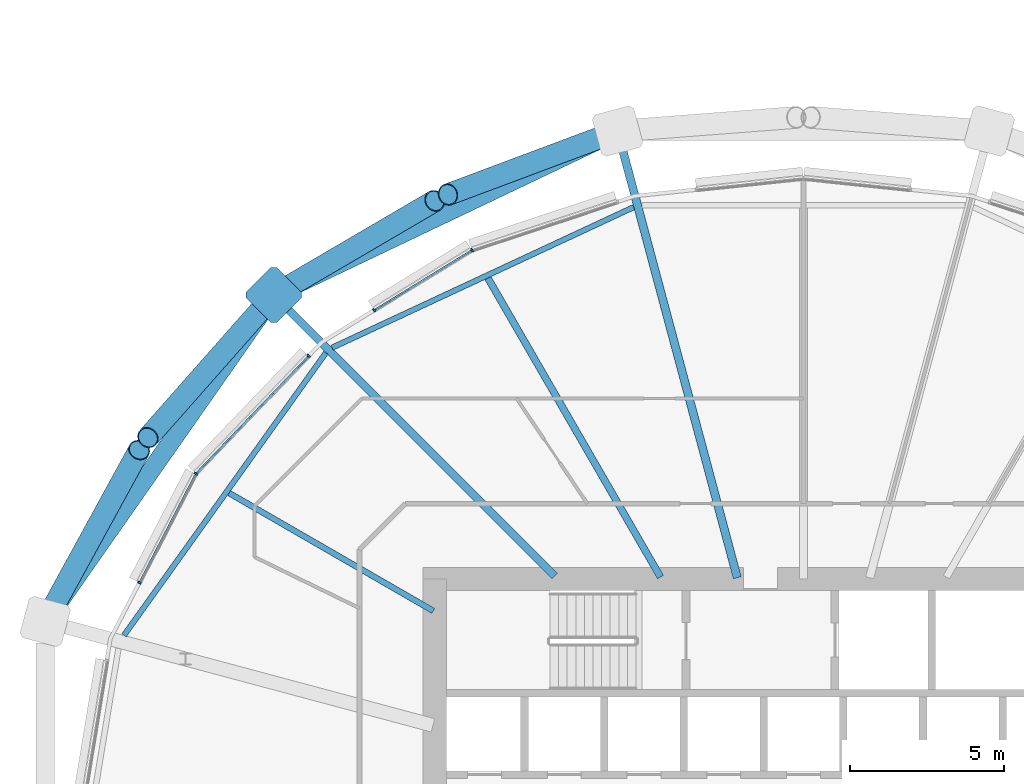
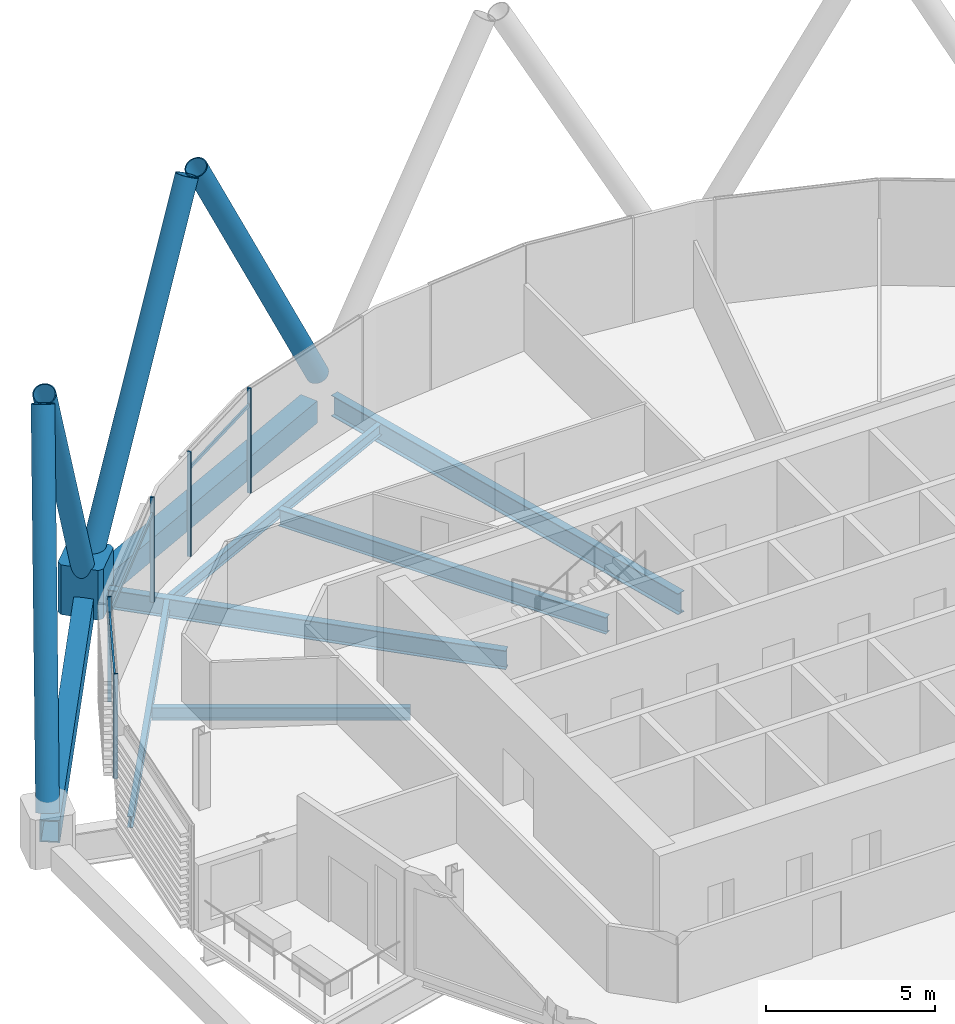
# One storey, part 10 of 38: 13 members, 8 beams, 1 element without a shape of its own.
"""IFC4 building model written with IfcOpenShell, lengths in metres."""

from ifc_helpers import new_model, si_unit, direction, frame, origin, origin_2d, place, context, subcontext, project, spatial, polyline, rectangle, hollow_rectangle, hollow_circle, i_section, outline, extrude, material, material_profile, profile_set, type_object, element, aggregate, save


model = new_model("IFC4")

# Units and contexts
model_context = context("Model", 3, precision=1e-05, world=origin(), true_north=direction((0.0, 1.0)))
body_context = subcontext(model_context, "Body", "Model", "MODEL_VIEW")
ifc_project = project(units=[si_unit("LENGTHUNIT", "METRE"), si_unit("AREAUNIT", "SQUARE_METRE"), si_unit("VOLUMEUNIT", "CUBIC_METRE"), si_unit("PLANEANGLEUNIT", "RADIAN"), si_unit("MASSUNIT", "GRAM", prefix="KILO")], contexts=[model_context])

# Site, building, storey
site_placement = place(None, origin())
site = spatial("IfcSite", under=ifc_project, at=site_placement, CompositionType="ELEMENT")
building_placement = place(site_placement, origin())
building = spatial("IfcBuilding", under=site, at=building_placement, Name="Rimbun Link Towers", CompositionType="ELEMENT")
storey_placement = place(building_placement, frame((0.0, 0.0, 93.0)))
storey = spatial("IfcBuildingStorey", under=building, at=storey_placement, Name="L22", CompositionType="ELEMENT", Elevation=93.0)

# Curtain wall, members
ifc_material_1 = material(Name="Aluminium 6063-T6 and low-iron glass", Category="aluminium")
curtain_wall_type = type_object("IfcCurtainWallType", Name="CW1-Z2 unitised vision wall (zone 2)", PredefinedType="NOTDEFINED", material=ifc_material_1)
curtain_wall_placement = place(storey_placement, origin())
curtain_wall = element("IfcCurtainWall", 1, at=curtain_wall_placement, inside=storey, type_object=curtain_wall_type, Name="CW1 L22 T1", PredefinedType="NOTDEFINED")
ifc_material_2 = material(Name="Aluminium 6063-T6", Category="aluminium")
ifc_material_profile_1 = material_profile(ifc_material_2, rectangle(XDim=0.1201171875, YDim=0.06005859375, at=origin_2d()), Name="MULLION 60X120")
ifc_profile_set_1 = profile_set([ifc_material_profile_1], Name="Aluminium 6063-T6")
member_type_1 = type_object("IfcMemberType", Name="CW1 mullion 60X120", PredefinedType="MULLION", material=ifc_profile_set_1)
member_1_placement = place(storey_placement, frame((-42.540283203125, 18.699951171875, 0.0), z_axis=(0.0, 0.0, 1.0), x_axis=(-0.421698890318, 0.906735929532, 0.0)))
member_1 = element("IfcMember", 2, at=member_1_placement, type_object=member_type_1, Name="CW1 mullion", PredefinedType="MULLION", context=body_context, shape_type="SweptSolid", body=[
    extrude(rectangle(XDim=0.1201171875, YDim=0.06005859375, at=origin_2d()), origin(), (0.0, 0.0, 1.0), 3.800048828125),
])
member_2_placement = place(storey_placement, frame((-45.724609375, 16.7451171875, 0.0), z_axis=(0.0, 0.0, 1.0), x_axis=(-0.523239240316, 0.852185835011, 0.0)))
member_2 = element("IfcMember", 3, at=member_2_placement, type_object=member_type_1, Name="CW1 mullion", PredefinedType="MULLION", context=body_context, shape_type="SweptSolid", body=[
    extrude(rectangle(XDim=0.1201171875, YDim=0.06005859375, at=origin_2d()), origin(), (0.0, 0.0, 1.0), 3.800048828125),
])
member_3_placement = place(storey_placement, frame((-51.527587890625, 11.42529296875, 0.0), z_axis=(0.0, 0.0, 1.0), x_axis=(-0.813351214919, 0.581772980801, 0.0)))
member_3 = element("IfcMember", 4, at=member_3_placement, type_object=member_type_1, Name="CW1 mullion", PredefinedType="MULLION", context=body_context, shape_type="SweptSolid", body=[
    extrude(rectangle(XDim=0.1201171875, YDim=0.06005859375, at=origin_2d()), origin(), (0.0, 0.0, 1.0), 3.800048828125),
])
member_4_placement = place(storey_placement, frame((-47.856201171875, 15.256103515625, 0.0), z_axis=(0.0, 0.0, 1.0), x_axis=(-0.721854427226, 0.692044930546, 0.0)))
member_4 = element("IfcMember", 5, at=member_4_placement, type_object=member_type_1, Name="CW1 mullion", PredefinedType="MULLION", context=body_context, shape_type="SweptSolid", body=[
    extrude(rectangle(XDim=0.1201171875, YDim=0.06005859375, at=origin_2d()), origin(), (0.0, 0.0, 1.0), 3.800048828125),
])
member_5_placement = place(storey_placement, frame((-53.364013671875, 7.8779296875, 0.0), z_axis=(0.0, 0.0, 1.0), x_axis=(-0.888148629228, 0.45955632125, 0.0)))
member_5 = element("IfcMember", 6, at=member_5_placement, type_object=member_type_1, Name="CW1 mullion", PredefinedType="MULLION", context=body_context, shape_type="SweptSolid", body=[
    extrude(rectangle(XDim=0.1201171875, YDim=0.06005859375, at=origin_2d()), origin(), (0.0, 0.0, 1.0), 3.800048828125),
])
ifc_material_3 = material(Name="Aluminium 6063-T6", Category="aluminium")
ifc_material_profile_2 = material_profile(ifc_material_3, rectangle(XDim=0.06005859375, YDim=0.1201171875, at=origin_2d()), Name="TRANSOM 60X120")
ifc_profile_set_2 = profile_set([ifc_material_profile_2], Name="Aluminium 6063-T6")
member_type_2 = type_object("IfcMemberType", Name="CW1 transom 60X120", PredefinedType="USERDEFINED", material=ifc_profile_set_2)
member_6_placement = place(storey_placement, frame((-45.697998046875, 16.75927734375, 3.199951171875), z_axis=(0.85220609578, 0.523206240707, 0.0), x_axis=(-0.523206240707, 0.85220609578, 0.0)))
member_6 = element("IfcMember", 7, at=member_6_placement, type_object=member_type_2, Name="CW1 transom", ObjectType="TRANSOM", PredefinedType="USERDEFINED", context=body_context, shape_type="SweptSolid", body=[
    extrude(rectangle(XDim=0.06005859375, YDim=0.1201171875, at=origin_2d()), origin(), (0.0, 0.0, 1.0), 3.66943359375),
])
member_7_placement = place(storey_placement, frame((-51.5, 11.452392578125, 3.199951171875), z_axis=(0.692056205714, 0.721843617505, 0.0), x_axis=(-0.721843617505, 0.692056205714, 0.0)))
member_7 = element("IfcMember", 8, at=member_7_placement, type_object=member_type_2, Name="CW1 transom", ObjectType="TRANSOM", PredefinedType="USERDEFINED", context=body_context, shape_type="SweptSolid", body=[
    extrude(rectangle(XDim=0.06005859375, YDim=0.1201171875, at=origin_2d()), origin(), (0.0, 0.0, 1.0), 5.2373046875),
])
member_8_placement = place(storey_placement, frame((-53.348388671875, 7.903564453125, 3.199951171875), z_axis=(0.459532873218, 0.888160761592, 0.0), x_axis=(-0.888160761592, 0.459532873218, 0.0)))
member_8 = element("IfcMember", 9, at=member_8_placement, type_object=member_type_2, Name="CW1 transom", ObjectType="TRANSOM", PredefinedType="USERDEFINED", context=body_context, shape_type="SweptSolid", body=[
    extrude(rectangle(XDim=0.06005859375, YDim=0.1201171875, at=origin_2d()), origin(), (0.0, 0.0, 1.0), 3.92626953125),
])
aggregate(curtain_wall, [member_1, member_2, member_3, member_4, member_5, member_6, member_7, member_8])

# Members
ifc_material_4 = material(Name="Steel S460NH", Category="steel")
ifc_material_profile_3 = material_profile(ifc_material_4, hollow_circle(Radius=0.355712890625, WallThickness=0.031982421875, at=origin_2d()), Name="Diagrid diagonal CHS 711x32")
ifc_profile_set_3 = profile_set([ifc_material_profile_3], Name="Steel S460NH")
member_type_3 = type_object("IfcMemberType", Name="Diagrid diagonal CHS 711x32", PredefinedType="BRACE", material=ifc_profile_set_3)
member_9_placement = place(storey_placement, frame((-38.020751953125, 22.49169921875, 0.440185546875), z_axis=(-0.443722358353, -0.165982002404, 0.880659096118), x_axis=(0.350357403198, -0.936616084649, 0.0)))
element("IfcMember", 10, at=member_9_placement, inside=storey, type_object=member_type_3, Name="Diagrid diagonal T1 L22-L25 07b", PredefinedType="BRACE", context=body_context, shape_type="SweptSolid", body=[
    extrude(hollow_circle(Radius=0.355712890625, WallThickness=0.031982421875, at=origin_2d()), origin(), (0.0, 0.0, 1.0), 11.945068359375),
])
member_10_placement = place(storey_placement, frame((-48.779541015625, 17.36083984375, 0.4375), z_axis=(0.417935584377, 0.244636310109, 0.874918809426), x_axis=(-0.505165498138, 0.863022490721, 0.0)))
element("IfcMember", 11, at=member_10_placement, inside=storey, type_object=member_type_3, Name="Diagrid diagonal T1 L22-L25 09a", PredefinedType="BRACE", context=body_context, shape_type="SweptSolid", body=[
    extrude(hollow_circle(Radius=0.355712890625, WallThickness=0.031982421875, at=origin_2d()), origin(), (0.0, 0.0, 1.0), 12.029541015625),
])
member_11_placement = place(storey_placement, frame((-49.151123046875, 17.05419921875, 0.435302734375), z_axis=(-0.325481387315, -0.368586825062, 0.870750032387), x_axis=(0.749577782131, -0.661916270034, 0.0)))
element("IfcMember", 12, at=member_11_placement, inside=storey, type_object=member_type_3, Name="Diagrid diagonal T1 L22-L25 09b", PredefinedType="BRACE", context=body_context, shape_type="SweptSolid", body=[
    extrude(hollow_circle(Radius=0.355712890625, WallThickness=0.031982421875, at=origin_2d()), origin(), (0.0, 0.0, 1.0), 12.09228515625),
])
member_12_placement = place(storey_placement, frame((-56.3056640625, 6.83203125, 0.4326171875), z_axis=(0.241023438842, 0.440152417672, 0.864970260267), x_axis=(-0.877106684974, 0.480295599787, 0.0)))
element("IfcMember", 13, at=member_12_placement, inside=storey, type_object=member_type_3, Name="Diagrid diagonal T1 L22-L25 11a", PredefinedType="BRACE", context=body_context, shape_type="SweptSolid", body=[
    extrude(hollow_circle(Radius=0.355712890625, WallThickness=0.031982421875, at=origin_2d()), origin(), (0.0, 0.0, 1.0), 12.179443359375),
])
ifc_material_5 = material(Name="Cast steel G20Mn5+QT, Rp0.2 300 MPa", Category="steel")
ifc_material_profile_4 = material_profile(ifc_material_5, outline(polyline([(0.699951171875, -0.570068359375), (0.699951171875, 0.570068359375), (0.570068359375, 0.699951171875), (-0.570068359375, 0.699951171875), (-0.699951171875, 0.570068359375), (-0.699951171875, -0.570068359375), (-0.570068359375, -0.699951171875), (0.570068359375, -0.699951171875), (0.699951171875, -0.570068359375)])), Name="NODE 1400x1400")
ifc_profile_set_4 = profile_set([ifc_material_profile_4], Name="Cast steel G20Mn5+QT, Rp0.2 300 MPa")
member_type_4 = type_object("IfcMemberType", Name="Diagrid node cast 1400", PredefinedType="USERDEFINED", material=ifc_profile_set_4)
member_13_placement = place(storey_placement, frame((-48.988525390625, 17.238525390625, -0.89990234375), z_axis=(0.0, 0.0, 1.0), x_axis=(-0.707106781187, 0.707106781187, 0.0)))
element("IfcMember", 14, at=member_13_placement, inside=storey, type_object=member_type_4, Name="Diagrid node L22 09", ObjectType="Diagrid node", PredefinedType="USERDEFINED", context=body_context, shape_type="SweptSolid", body=[
    extrude(outline(polyline([(0.699951171875, -0.570068359375), (0.699951171875, 0.570068359375), (0.570068359375, 0.699951171875), (-0.570068359375, 0.699951171875), (-0.699951171875, 0.570068359375), (-0.699951171875, -0.570068359375), (-0.570068359375, -0.699951171875), (0.570068359375, -0.699951171875), (0.699951171875, -0.570068359375)])), origin(), (0.0, 0.0, 1.0), 1.7998046875),
])

# Beams
ifc_material_6 = material(Name="Steel S355J2", Category="steel")
ifc_material_profile_5 = material_profile(ifc_material_6, hollow_rectangle(XDim=0.60009765625, YDim=0.800048828125, WallThickness=0.0400390625, at=origin_2d()), Name="Exoskeleton ring girder BOX 600x800x40")
ifc_profile_set_5 = profile_set([ifc_material_profile_5], Name="Steel S355J2")
beam_type_1 = type_object("IfcBeamType", Name="Exoskeleton ring girder BOX 600x800x40", PredefinedType="BEAM", material=ifc_profile_set_5)
beam_1_placement = place(storey_placement, frame((-38.4306640625, 22.273193359375, -0.56005859375), z_axis=(-0.902623188498, -0.430431620105, 0.0), x_axis=(0.430431620105, -0.902623188498, 0.0)))
element("IfcBeam", 15, at=beam_1_placement, inside=storey, type_object=beam_type_1, Name="Exoskeleton ring girder L22 03", PredefinedType="BEAM", context=body_context, shape_type="SweptSolid", body=[
    extrude(hollow_rectangle(XDim=0.60009765625, YDim=0.800048828125, WallThickness=0.0400390625, at=origin_2d()), origin(), (0.0, 0.0, 1.0), 10.996826171875),
])
beam_2_placement = place(storey_placement, frame((-49.389892578125, 16.6650390625, -0.56005859375), z_axis=(-0.573401451452, -0.819274542185, 0.0), x_axis=(0.819274542185, -0.573401451452, 0.0)))
element("IfcBeam", 16, at=beam_2_placement, inside=storey, type_object=beam_type_1, Name="Exoskeleton ring girder L22 04", PredefinedType="BEAM", context=body_context, shape_type="SweptSolid", body=[
    extrude(hollow_rectangle(XDim=0.60009765625, YDim=0.800048828125, WallThickness=0.0400390625, at=origin_2d()), origin(), (0.0, 0.0, 1.0), 11.57080078125),
])
ifc_material_7 = material(Name="Steel S355J2", Category="steel")
ifc_material_profile_6 = material_profile(ifc_material_7, i_section(OverallWidth=0.177978515625, OverallDepth=0.406494140625, WebThickness=0.0078125, FlangeThickness=0.0126953125, at=origin_2d()), Name="UB 406x178x60")
ifc_profile_set_6 = profile_set([ifc_material_profile_6], Name="Steel S355J2")
beam_type_2 = type_object("IfcBeamType", Name="UB 406x178x60", PredefinedType="BEAM", material=ifc_profile_set_6)
beam_3_placement = place(storey_placement, frame((-37.274658203125, 20.09912109375, -0.36328125), z_axis=(-0.906386298275, -0.422449853, 0.0), x_axis=(0.422449853, -0.906386298275, 0.0)))
element("IfcBeam", 17, at=beam_3_placement, inside=storey, type_object=beam_type_2, Name="Edge beam T1 L22 07-09", PredefinedType="BEAM", context=body_context, shape_type="SweptSolid", body=[
    extrude(i_section(OverallWidth=0.177978515625, OverallDepth=0.406494140625, WebThickness=0.0078125, FlangeThickness=0.0126953125, at=origin_2d()), origin(), (0.0, 0.0, 1.0), 10.831787109375),
])
beam_4_placement = place(storey_placement, frame((-47.291259765625, 15.3603515625, -0.36328125), z_axis=(-0.581358683872, -0.813647393338, 0.0), x_axis=(0.813647393338, -0.581358683872, 0.0)))
element("IfcBeam", 18, at=beam_4_placement, inside=storey, type_object=beam_type_2, Name="Edge beam T1 L22 09-11", PredefinedType="BEAM", context=body_context, shape_type="SweptSolid", body=[
    extrude(i_section(OverallWidth=0.177978515625, OverallDepth=0.406494140625, WebThickness=0.0078125, FlangeThickness=0.0126953125, at=origin_2d()), origin(), (0.0, 0.0, 1.0), 11.307861328125),
])
ifc_material_8 = material(Name="Steel S355J2", Category="steel")
ifc_material_profile_7 = material_profile(ifc_material_8, i_section(OverallWidth=0.18994140625, OverallDepth=0.453369140625, WebThickness=0.008544921875, FlangeThickness=0.0126953125, at=origin_2d()), Name="UB 457x191x67")
ifc_profile_set_7 = profile_set([ifc_material_profile_7], Name="Steel S355J2")
beam_type_3 = type_object("IfcBeamType", Name="UB 457x191x67", PredefinedType="BEAM", material=ifc_profile_set_7)
beam_5_placement = place(storey_placement, frame((-43.79833984375, 6.9560546875, -0.38671875), z_axis=(-0.866012339475, 0.500022627366, 0.0), x_axis=(-0.500022627366, -0.866012339475, 0.0)))
element("IfcBeam", 19, at=beam_5_placement, inside=storey, type_object=beam_type_3, Name="Radial beam T1 L22 10", PredefinedType="BEAM", context=body_context, shape_type="SweptSolid", body=[
    extrude(i_section(OverallWidth=0.18994140625, OverallDepth=0.453369140625, WebThickness=0.008544921875, FlangeThickness=0.0126953125, at=origin_2d()), origin(), (0.0, 0.0, 1.0), 7.674072265625),
])
ifc_material_9 = material(Name="Steel S355J2", Category="steel")
ifc_material_profile_8 = material_profile(ifc_material_9, i_section(OverallWidth=0.2275390625, OverallDepth=0.6025390625, WebThickness=0.010498046875, FlangeThickness=0.014892578125, at=origin_2d()), Name="UB 610x229x101")
ifc_profile_set_8 = profile_set([ifc_material_profile_8], Name="Steel S355J2")
beam_type_4 = type_object("IfcBeamType", Name="UB 610x229x101", PredefinedType="BEAM", material=ifc_profile_set_8)
beam_6_placement = place(storey_placement, frame((-36.402099609375, 8.057861328125, -0.461181640625), z_axis=(-0.50001148964, 0.866018770136, 0.0), x_axis=(-0.866018770136, -0.50001148964, 0.0)))
element("IfcBeam", 20, at=beam_6_placement, inside=storey, type_object=beam_type_4, Name="Radial beam T1 L22 08", PredefinedType="BEAM", context=body_context, shape_type="SweptSolid", body=[
    extrude(i_section(OverallWidth=0.2275390625, OverallDepth=0.6025390625, WebThickness=0.010498046875, FlangeThickness=0.014892578125, at=origin_2d()), origin(), (0.0, 0.0, 1.0), 11.235595703125),
])
ifc_material_10 = material(Name="Steel S355J2", Category="steel")
ifc_material_profile_9 = material_profile(ifc_material_10, i_section(OverallWidth=0.253662109375, OverallDepth=0.68359375, WebThickness=0.012451171875, FlangeThickness=0.01904296875, at=origin_2d()), Name="UB 686x254x140")
ifc_profile_set_9 = profile_set([ifc_material_profile_9], Name="Steel S355J2")
beam_type_5 = type_object("IfcBeamType", Name="UB 686x254x140", PredefinedType="BEAM", material=ifc_profile_set_9)
beam_7_placement = place(storey_placement, frame((-39.84033203125, 8.09033203125, -0.501708984375), z_axis=(-0.707106781187, 0.707106781187, 0.0), x_axis=(-0.707106781187, -0.707106781187, 0.0)))
element("IfcBeam", 21, at=beam_7_placement, inside=storey, type_object=beam_type_5, Name="Radial beam T1 L22 09", PredefinedType="BEAM", context=body_context, shape_type="SweptSolid", body=[
    extrude(i_section(OverallWidth=0.253662109375, OverallDepth=0.68359375, WebThickness=0.012451171875, FlangeThickness=0.01904296875, at=origin_2d()), origin(), (0.0, 0.0, 1.0), 12.4375),
])
ifc_material_11 = material(Name="Steel S355J2", Category="steel")
ifc_material_profile_10 = material_profile(ifc_material_11, i_section(OverallWidth=0.2666015625, OverallDepth=0.76220703125, WebThickness=0.014404296875, FlangeThickness=0.021484375, at=origin_2d()), Name="UB 762x267x173")
ifc_profile_set_10 = profile_set([ifc_material_profile_10], Name="Steel S355J2")
beam_type_6 = type_object("IfcBeamType", Name="UB 762x267x173", PredefinedType="BEAM", material=ifc_profile_set_10)
beam_8_placement = place(storey_placement, frame((-33.9033203125, 8.035400390625, -0.541015625), z_axis=(-0.258804850559, 0.965929629594, 0.0), x_axis=(-0.965929629594, -0.258804850559, 0.0)))
element("IfcBeam", 22, at=beam_8_placement, inside=storey, type_object=beam_type_6, Name="Radial beam T1 L22 07", PredefinedType="BEAM", context=body_context, shape_type="SweptSolid", body=[
    extrude(i_section(OverallWidth=0.2666015625, OverallDepth=0.76220703125, WebThickness=0.014404296875, FlangeThickness=0.021484375, at=origin_2d()), origin(), (0.0, 0.0, 1.0), 14.552001953125),
])

save(model, "model.ifc")
